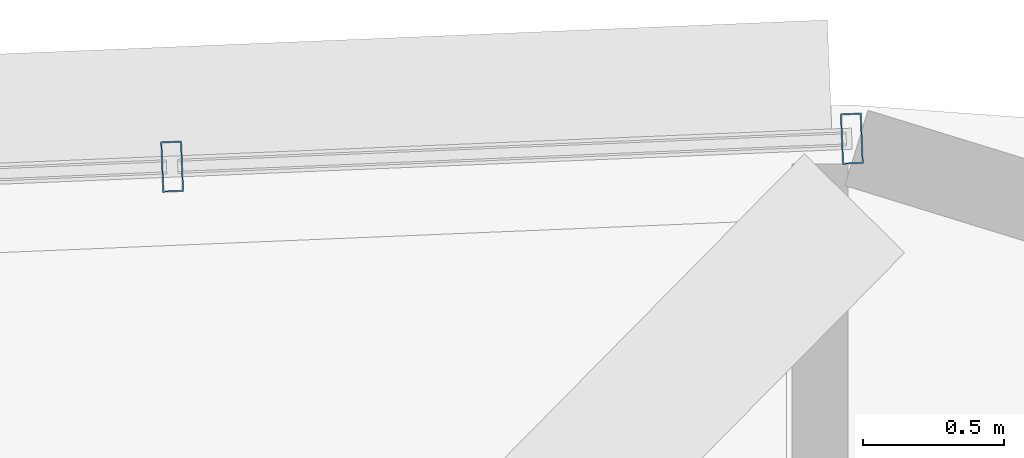
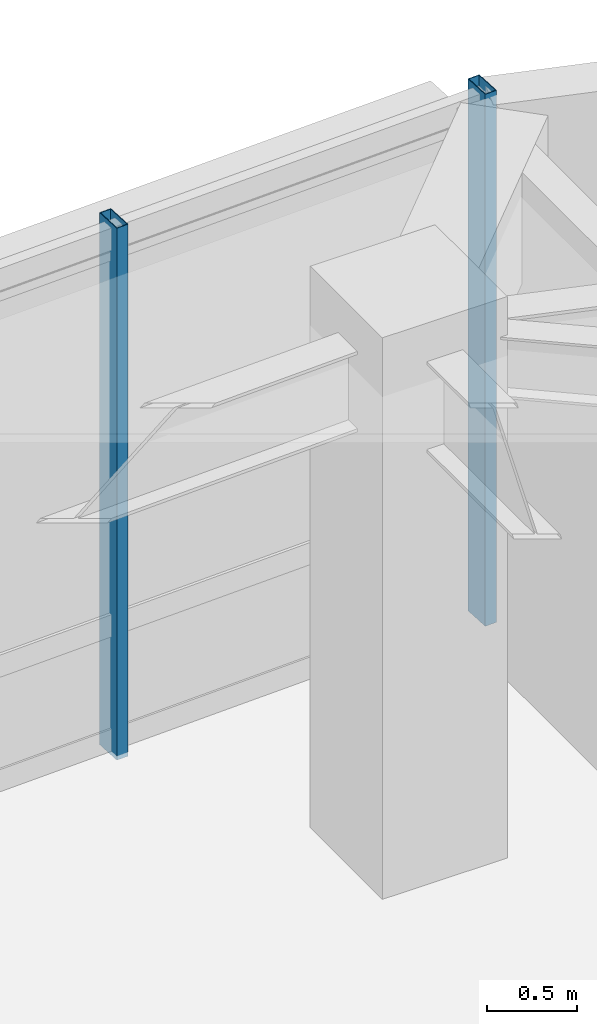
# One storey, part 4 of 12: 2 members, 1 element without a shape of its own.
"""IFC4 building model written with IfcOpenShell, lengths in metres."""

from ifc_helpers import new_model, si_unit, direction, frame, origin, origin_2d, place, context, subcontext, project, spatial, hollow_rectangle, extrude, material, material_profile, profile_set, type_object, element, aggregate, save


model = new_model("IFC4")

# Units and contexts
model_context = context("Model", 3, precision=1e-05, world=origin(), true_north=direction((0.0, 1.0)))
body_context = subcontext(model_context, "Body", "Model", "MODEL_VIEW")
ifc_project = project(units=[si_unit("LENGTHUNIT", "METRE"), si_unit("AREAUNIT", "SQUARE_METRE"), si_unit("VOLUMEUNIT", "CUBIC_METRE"), si_unit("PLANEANGLEUNIT", "RADIAN"), si_unit("MASSUNIT", "GRAM", prefix="KILO")], contexts=[model_context])

# Site, building, storey
site_placement = place(None, origin())
site = spatial("IfcSite", under=ifc_project, at=site_placement, CompositionType="ELEMENT")
building_placement = place(site_placement, origin())
building = spatial("IfcBuilding", under=site, at=building_placement, Name="Zulverin Broadcast Headquarters", CompositionType="ELEMENT")
storey_placement = place(building_placement, frame((0.0, 0.0, 289.60009765625)))
storey = spatial("IfcBuildingStorey", under=building, at=storey_placement, Name="L74", CompositionType="ELEMENT", Elevation=289.60009765625)

# Curtain wall, members
ifc_material_1 = material(Name="High-zone solar-control unitised curtain wall", Category="aluminium")
curtain_wall_type = type_object("IfcCurtainWallType", Name="CW-TWR-UPP", PredefinedType="USERDEFINED", material=ifc_material_1)
curtain_wall_placement = place(storey_placement, origin())
curtain_wall = element("IfcCurtainWall", 1, at=curtain_wall_placement, inside=storey, type_object=curtain_wall_type, Name="L74 Unitised Curtain Wall CW-L74-E5", ObjectType="UNITISED CURTAIN WALL", PredefinedType="USERDEFINED")
ifc_material_2 = material(Name="Anodized pale-metal aluminium alloy 6063-T6", Category="aluminium")
ifc_material_profile = material_profile(ifc_material_2, hollow_rectangle(XDim=0.074951171875, YDim=0.179931640625, WallThickness=0.0048828125, at=origin_2d()), Name="Anodized pale-metal aluminium alloy 6063-T6", Category="aluminium")
ifc_profile_set = profile_set([ifc_material_profile], Name="Anodized pale-metal aluminium alloy 6063-T6")
member_type = type_object("IfcMemberType", Name="CW-MUL-180", PredefinedType="MULLION", material=ifc_profile_set)
member_1_placement = place(storey_placement, frame((46.412841796875, 48.02490234375, -0.030029296875), z_axis=(0.0, 0.0, 1.0), x_axis=(-0.999156343069, -0.041068261531, 0.0)))
member_1 = element("IfcMember", 2, at=member_1_placement, type_object=member_type, Name="CW-L74-E5 Mullion 00", PredefinedType="MULLION", context=body_context, shape_type="SweptSolid", body=[
    extrude(hollow_rectangle(XDim=0.074951171875, YDim=0.179931640625, WallThickness=0.0048828125, at=origin_2d()), origin(), (0.0, 0.0, 1.0), 3.599853515625),
])
member_2_placement = place(storey_placement, frame((43.997314453125, 47.925537109375, -0.030029296875), z_axis=(0.0, 0.0, 1.0), x_axis=(-0.999156343069, -0.041068261531, 0.0)))
member_2 = element("IfcMember", 3, at=member_2_placement, type_object=member_type, Name="CW-L74-E5 Mullion 01", PredefinedType="MULLION", context=body_context, shape_type="SweptSolid", body=[
    extrude(hollow_rectangle(XDim=0.074951171875, YDim=0.179931640625, WallThickness=0.0048828125, at=origin_2d()), origin(), (0.0, 0.0, 1.0), 3.599853515625),
])
aggregate(curtain_wall, [member_1, member_2])

save(model, "model.ifc")
